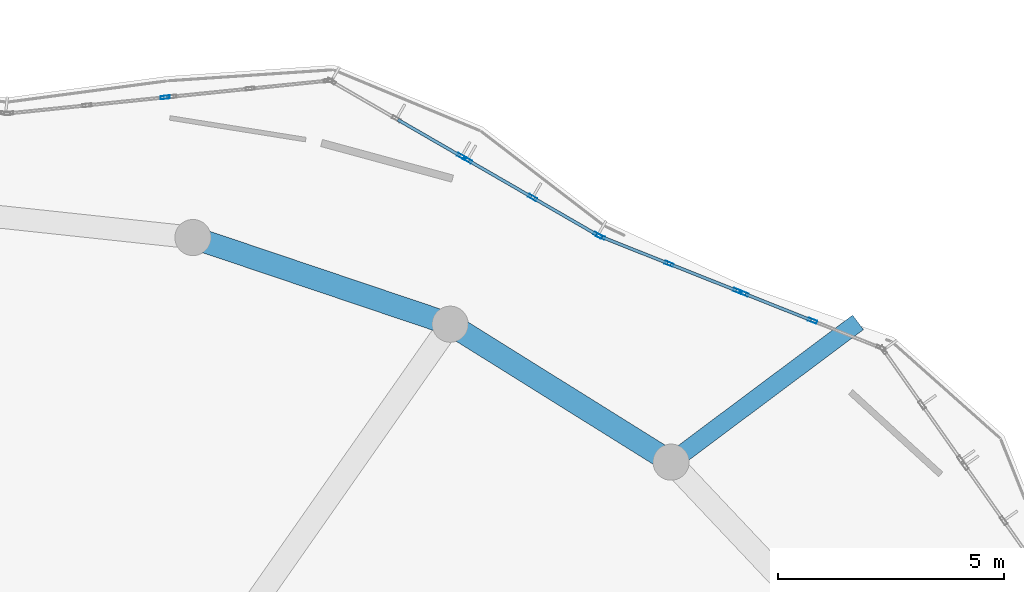
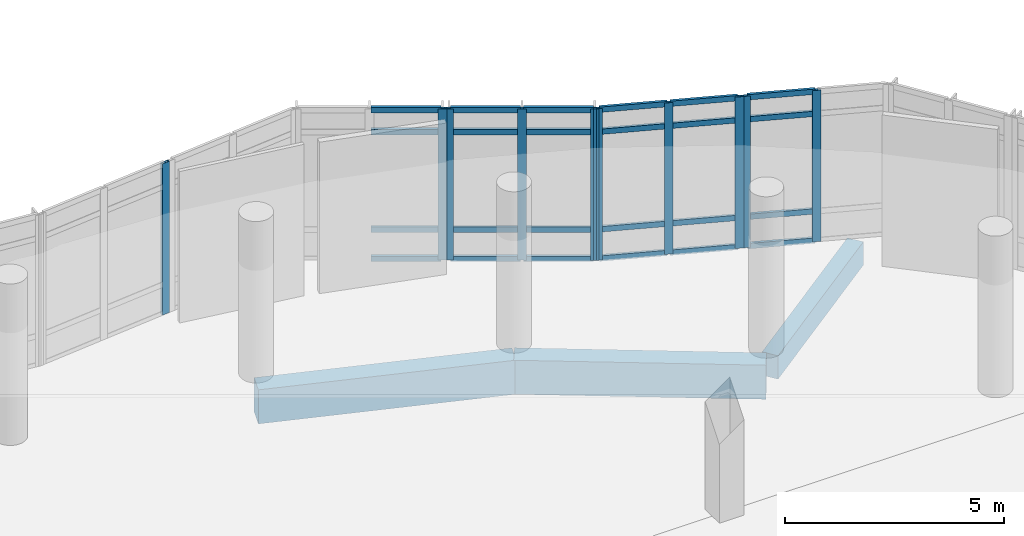
# One storey, part 17 of 46: 34 members, 3 beams, 5 elements without a shape of their own.
"""IFC4 building model written with IfcOpenShell, lengths in metres."""

import ifcopenshell
import ifcopenshell.guid

model = None  # the IFC model being written
_history = None  # IfcOwnerHistory: only IFC2X3 demands one
_inside = {}  # id of a spatial element -> (the spatial element, [elements in it])
_under = {}  # id of a project, library or spatial element -> (it, [spatial elements below it])
_declared = {}  # id of a project -> (the project, [libraries it declares])
_typed = {}  # id of a type object -> (the type object, [elements of that type])
_made_of = {}  # id of a material, layer set ... -> (it, [elements and type objects made of it])


def new_model(schema):
    """Start an empty IFC model of exactly this schema.

    Asked for "IFC4X3", IfcOpenShell would pick the latest addendum, in which some entities
    have other attributes; the version numbers below select the first issue.
    IFC2X3 requires an IfcOwnerHistory on every rooted entity: one is made here for all.
    """
    global model, _history
    if schema == "IFC4X3":
        model = ifcopenshell.file(schema_version=(4, 3, 0, 0))
    else:
        model = ifcopenshell.file(schema=schema)
    _inside.clear()
    _under.clear()
    _declared.clear()
    _typed.clear()
    _made_of.clear()
    _history = None
    if model.schema == "IFC2X3":
        org = make("IfcOrganization", Name="unknown")
        user = make(
            "IfcPersonAndOrganization",
            ThePerson=make("IfcPerson", FamilyName="unknown"),
            TheOrganization=org,
        )
        app = make(
            "IfcApplication",
            ApplicationDeveloper=org,
            Version="unknown",
            ApplicationFullName="unknown",
            ApplicationIdentifier="unknown",
        )
        _history = make(
            "IfcOwnerHistory",
            OwningUser=user,
            OwningApplication=app,
            ChangeAction="ADDED",
            CreationDate=0,
        )
    return model


def make(cls, **values):
    """One entity of the class cls with the attributes given. An attribute that is None is left unset."""
    return model.create_entity(
        cls, **{name: value for name, value in values.items() if value is not None}
    )


def rooted(cls, **values):
    """An entity with a GlobalId (a new one), such as an element, a storey or a relation."""
    return make(cls, GlobalId=ifcopenshell.guid.new(), OwnerHistory=_history, **values)


def si_unit(unit_type, name, prefix=None):
    """IfcSIUnit, for example si_unit("LENGTHUNIT", "METRE", prefix="MILLI")."""
    return make("IfcSIUnit", UnitType=unit_type, Prefix=prefix, Name=name)


def derived_unit(unit_type, elements):
    """IfcDerivedUnit: a product of units, each with its exponent."""
    return make(
        "IfcDerivedUnit",
        Elements=[
            make("IfcDerivedUnitElement", Unit=unit, Exponent=power)
            for unit, power in elements
        ],
        UnitType=unit_type,
    )


def assignment(units):
    """IfcUnitAssignment: the units of a project."""
    return None if units is None else make("IfcUnitAssignment", Units=units)


def point(xyz):
    """IfcCartesianPoint."""
    return None if xyz is None else make("IfcCartesianPoint", Coordinates=xyz)


def direction(xyz):
    """IfcDirection."""
    return None if xyz is None else make("IfcDirection", DirectionRatios=xyz)


def frame(location, z_axis=None, x_axis=None):
    """IfcAxis2Placement3D, a coordinate frame: its origin and axes. An axis left out is left unset."""
    return make(
        "IfcAxis2Placement3D",
        Location=point(location),
        Axis=direction(z_axis),
        RefDirection=direction(x_axis),
    )


def frame_2d(location, x_axis=None):
    """IfcAxis2Placement2D, a coordinate frame in the plane: its origin and x axis."""
    return make(
        "IfcAxis2Placement2D", Location=point(location), RefDirection=direction(x_axis)
    )


def origin():
    """The frame at (0, 0, 0) with its axes left unset."""
    return frame((0.0, 0.0, 0.0))


def origin_2d():
    """The frame at (0, 0) in the plane with its x axis left unset."""
    return frame_2d((0.0, 0.0))


def place(relative_to, where):
    """IfcLocalPlacement: puts the frame where relative to a parent placement (None: the world)."""
    return make(
        "IfcLocalPlacement", PlacementRelTo=relative_to, RelativePlacement=where
    )


def context(
    kind, dimensions, precision=None, world=None, true_north=None, identifier=None
):
    """IfcGeometricRepresentationContext, for example the 3D "Model" context."""
    return make(
        "IfcGeometricRepresentationContext",
        ContextIdentifier=identifier,
        ContextType=kind,
        CoordinateSpaceDimension=dimensions,
        Precision=precision,
        WorldCoordinateSystem=world,
        TrueNorth=true_north,
    )


def subcontext(parent, identifier, kind, view, scale=None):
    """IfcGeometricRepresentationSubContext, for example "Body" below "Model"."""
    return make(
        "IfcGeometricRepresentationSubContext",
        ContextIdentifier=identifier,
        ContextType=kind,
        ParentContext=parent,
        TargetScale=scale,
        TargetView=view,
    )


def project(units=None, contexts=None):
    """IfcProject with its units and contexts."""
    return rooted(
        "IfcProject",
        Name="project",
        RepresentationContexts=contexts,
        UnitsInContext=assignment(units),
    )


def spatial(cls, under=None, at=None, **own):
    """A site, building, storey or space (cls), placed at a placement, below another one or the project."""
    s = rooted(cls, ObjectPlacement=at, **own)
    if under is not None:
        _under.setdefault(under.id(), (under, []))[1].append(s)
    return s


def profile(cls, at=None, kind="AREA", **sizes):
    """A parametric profile (cls). Its sizes go by their IFC names, for example OverallWidth=200.0."""
    return make(cls, ProfileType=kind, Position=at, **sizes)


def rectangle(**sizes):
    """IfcRectangleProfileDef."""
    return profile("IfcRectangleProfileDef", **sizes)


def hollow_rectangle(**sizes):
    """IfcRectangleHollowProfileDef."""
    return profile("IfcRectangleHollowProfileDef", **sizes)


def extrude(swept, where, along, depth):
    """IfcExtrudedAreaSolid: the profile swept, set in the frame where, extruded along a direction by depth."""
    return make(
        "IfcExtrudedAreaSolid",
        SweptArea=swept,
        Position=where,
        ExtrudedDirection=direction(along),
        Depth=depth,
    )


def shape(context_of_items, identifier, shape_type, items):
    """IfcShapeRepresentation: the items that make up one representation, for example the "Body"."""
    return make(
        "IfcShapeRepresentation",
        ContextOfItems=context_of_items,
        RepresentationIdentifier=identifier,
        RepresentationType=shape_type,
        Items=items,
    )


def material(Name=None, Category=None):
    """IfcMaterial."""
    return make("IfcMaterial", Name=Name, Category=Category)


def layer(
    of_material, thickness, ventilated=None, Name=None, Category=None, Priority=None
):
    """IfcMaterialLayer: one layer of a wall or slab, of a material (None: an air gap)."""
    return make(
        "IfcMaterialLayer",
        Material=of_material,
        LayerThickness=thickness,
        IsVentilated=ventilated,
        Name=Name,
        Category=Category,
        Priority=Priority,
    )


def layer_set(layers, Name=None):
    """IfcMaterialLayerSet."""
    return make("IfcMaterialLayerSet", MaterialLayers=layers, LayerSetName=Name)


def material_profile(
    of_material, cross_section, Name=None, Category=None, Priority=None
):
    """IfcMaterialProfile: a cross section and its material."""
    return make(
        "IfcMaterialProfile",
        Name=Name,
        Material=of_material,
        Profile=cross_section,
        Priority=Priority,
        Category=Category,
    )


def profile_set(profiles, Name=None, composite=None):
    """IfcMaterialProfileSet."""
    return make(
        "IfcMaterialProfileSet",
        Name=Name,
        MaterialProfiles=profiles,
        CompositeProfile=composite,
    )


def made_of(thing, what):
    """Note that an element or type object is made of a material, layer set ...; save() writes the relation."""
    if what is not None:
        _made_of.setdefault(what.id(), (what, []))[1].append(thing)
    return thing


def type_object(cls, material=None, **own):
    """A type object (cls), such as IfcWallType, which elements share."""
    return made_of(rooted(cls, **own), material)


def element(
    cls,
    number,
    at=None,
    inside=None,
    cuts=None,
    type_object=None,
    material=None,
    context=None,
    identifier="Body",
    shape_type=None,
    held_by="IfcProductDefinitionShape",
    body=None,
    shapes=None,
    **own,
):
    """One element of the class cls, such as IfcWall. Its Tag is "e" and its number.

    at: its placement. inside: the storey or other place that contains it. cuts: it is an
    opening in that element (IfcRelVoidsElement). A single representation is given by context,
    identifier, shape_type and body (its items); several are given by shapes. held_by: the class
    of the entity that holds the representations. save() writes the other relations.
    """
    e = rooted(cls, Tag="e%d" % number, ObjectPlacement=at, **own)
    if body is not None:
        shapes = [shape(context, identifier, shape_type, body)]
    if shapes is not None:
        e.Representation = make(held_by, Representations=shapes)
    if inside is not None:
        _inside.setdefault(inside.id(), (inside, []))[1].append(e)
    if cuts is not None:
        rooted(
            "IfcRelVoidsElement", RelatingBuildingElement=cuts, RelatedOpeningElement=e
        )
    if type_object is not None:
        _typed.setdefault(type_object.id(), (type_object, []))[1].append(e)
    return made_of(e, material)


def aggregate(whole, parts):
    """IfcRelAggregates: a whole, such as a stair, and the parts it consists of."""
    return rooted("IfcRelAggregates", RelatingObject=whole, RelatedObjects=parts)


def save(model, path):
    """Write the relations noted so far, then the file.

    IfcRelAggregates (storeys below a building ...), IfcRelContainedInSpatialStructure (elements
    in a storey), IfcRelDefinesByType, IfcRelAssociatesMaterial and IfcRelDeclares: one each for
    every whole, place, type object, material and project.
    """
    for whole, parts in _under.values():
        aggregate(whole, parts)
    for where, things in _inside.values():
        rooted(
            "IfcRelContainedInSpatialStructure",
            RelatedElements=things,
            RelatingStructure=where,
        )
    for kind, things in _typed.values():
        rooted("IfcRelDefinesByType", RelatedObjects=things, RelatingType=kind)
    for what, things in _made_of.values():
        rooted("IfcRelAssociatesMaterial", RelatedObjects=things, RelatingMaterial=what)
    for by, libraries in _declared.values():
        rooted("IfcRelDeclares", RelatingContext=by, RelatedDefinitions=libraries)
    model.write(path)


model = new_model("IFC4")

# Units and contexts
model_context = context("Model", 3, precision=1e-05, world=origin(), true_north=direction((0.0, 1.0)))
body_context = subcontext(model_context, "Body", "Model", "MODEL_VIEW")
ifc_project = project(units=[si_unit("LENGTHUNIT", "METRE"), si_unit("AREAUNIT", "SQUARE_METRE"), si_unit("VOLUMEUNIT", "CUBIC_METRE"), si_unit("PLANEANGLEUNIT", "RADIAN"), si_unit("MASSUNIT", "GRAM", prefix="KILO"), derived_unit("THERMALTRANSMITTANCEUNIT", [(si_unit("POWERUNIT", "WATT"), 1), (si_unit("LENGTHUNIT", "METRE"), -2), (si_unit("THERMODYNAMICTEMPERATUREUNIT", "KELVIN"), -1)])], contexts=[model_context])

# Site, building, storey
site_placement = place(None, origin())
site = spatial("IfcSite", under=ifc_project, at=site_placement, CompositionType="ELEMENT")
building_placement = place(site_placement, origin())
building = spatial("IfcBuilding", under=site, at=building_placement, Name="Elbkamm Science Centre", CompositionType="ELEMENT")
storey_placement = place(building_placement, frame((0.0, 0.0, 9.89990234375)))
storey = spatial("IfcBuildingStorey", under=building, at=storey_placement, Name="L02", CompositionType="ELEMENT", Elevation=9.89990234375)

# Beams
ifc_material_1 = material(Name="Concrete C40/50", Category="concrete")
ifc_material_profile_1 = material_profile(ifc_material_1, rectangle(XDim=0.39990234375, YDim=0.64990234375, at=origin_2d()), Name="RC 400x650")
ifc_profile_set_1 = profile_set([ifc_material_profile_1], Name="Concrete C40/50")
beam_type_1 = type_object("IfcBeamType", Name="BM-RC-400x650", PredefinedType="BEAM", material=ifc_profile_set_1)
beam_1_placement = place(storey_placement, frame((83.82373046875, 83.868408203125, -0.625), z_axis=(-0.800864326985, -0.598845831382, 0.0), x_axis=(0.598845831382, -0.800864326985, 0.0)))
element("IfcBeam", 1, at=beam_1_placement, inside=storey, type_object=beam_type_1, Name="L02 Perimeter Ring Tie Girder 048", PredefinedType="BEAM", context=body_context, shape_type="SweptSolid", body=[
    extrude(rectangle(XDim=0.39990234375, YDim=0.64990234375, at=origin_2d()), origin(), (0.0, 0.0, 1.0), 4.944091796875),
])
ifc_material_profile_2 = material_profile(ifc_material_1, rectangle(XDim=0.5, YDim=0.949951171875, at=origin_2d()), Name="RC 500x950")
ifc_profile_set_2 = profile_set([ifc_material_profile_2], Name="Concrete C40/50")
beam_type_2 = type_object("IfcBeamType", Name="BM-RC-500x950", PredefinedType="BEAM", material=ifc_profile_set_2)
beam_2_placement = place(storey_placement, frame((79.68798828125, 80.77587890625, -0.77490234375), z_axis=(-0.848229099729, 0.529629487824, 0.0), x_axis=(-0.529629487824, -0.848229099729, 0.0)))
element("IfcBeam", 2, at=beam_2_placement, inside=storey, type_object=beam_type_2, Name="L02 Elliptical Shell Perimeter Ring Beam 04", PredefinedType="SPANDREL", context=body_context, shape_type="SweptSolid", body=[
    extrude(rectangle(XDim=0.5, YDim=0.949951171875, at=origin_2d()), origin(), (0.0, 0.0, 1.0), 5.762451171875),
])
beam_3_placement = place(storey_placement, frame((74.800048828125, 83.827880859375, -0.77490234375), z_axis=(-0.947637651085, 0.319347588444, 0.0), x_axis=(-0.319347588444, -0.947637651085, 0.0)))
element("IfcBeam", 3, at=beam_3_placement, inside=storey, type_object=beam_type_2, Name="L02 Elliptical Shell Perimeter Ring Beam 05", PredefinedType="SPANDREL", context=body_context, shape_type="SweptSolid", body=[
    extrude(rectangle(XDim=0.5, YDim=0.949951171875, at=origin_2d()), origin(), (0.0, 0.0, 1.0), 6.006591796875),
])

# Curtain wall, members
ifc_material_2 = material(Name="Powder-coated aluminium and triple low-E glazing", Category="aluminium")
ifc_layer_1 = layer(ifc_material_2, 0.159912109375)
ifc_layer_set_1 = layer_set([ifc_layer_1], Name="Powder-coated aluminium and triple low-E glazing")
curtain_wall_type_1 = type_object("IfcCurtainWallType", Name="CW-UNIT-3340x4220", PredefinedType="USERDEFINED", material=ifc_layer_set_1)
curtain_wall_1_placement = place(storey_placement, origin())
curtain_wall_1 = element("IfcCurtainWall", 4, at=curtain_wall_1_placement, inside=storey, type_object=curtain_wall_type_1, Name="L02 Unitised Curtain Wall 022", ObjectType="UNITISED CURTAIN WALL", PredefinedType="USERDEFINED")
ifc_material_3 = material(Name="Powder-coated aluminium EN AW-6060", Category="aluminium")
ifc_material_profile_3 = material_profile(ifc_material_3, hollow_rectangle(XDim=0.070068359375, YDim=0.199951171875, WallThickness=0.00439453125, at=origin_2d()), Name="ALU M70x200")
ifc_profile_set_3 = profile_set([ifc_material_profile_3], Name="Powder-coated aluminium EN AW-6060")
member_type_1 = type_object("IfcMemberType", Name="CW-MUL-70x200", PredefinedType="MULLION", material=ifc_profile_set_3)
member_1_placement = place(storey_placement, frame((82.81689453125, 83.904052734375, 0.0), z_axis=(0.0, 0.0, 1.0), x_axis=(-0.369160233621, -0.929365763256, 0.0)))
member_1 = element("IfcMember", 5, at=member_1_placement, type_object=member_type_1, Name="CW-013 mullion 2", PredefinedType="MULLION", context=body_context, shape_type="SweptSolid", body=[
    extrude(hollow_rectangle(XDim=0.070068359375, YDim=0.199951171875, WallThickness=0.00439453125, at=origin_2d()), origin(), (0.0, 0.0, 1.0), 4.22021484375),
])
member_2_placement = place(storey_placement, frame((81.300537109375, 84.506591796875, 0.0), z_axis=(0.0, 0.0, 1.0), x_axis=(-0.369160233621, -0.929365763256, 0.0)))
member_2 = element("IfcMember", 6, at=member_2_placement, type_object=member_type_1, Name="CW-013 mullion 3", PredefinedType="MULLION", context=body_context, shape_type="SweptSolid", body=[
    extrude(hollow_rectangle(XDim=0.070068359375, YDim=0.199951171875, WallThickness=0.00439453125, at=origin_2d()), origin(), (0.0, 0.0, 1.0), 4.22021484375),
])

curtain_wall_2_placement = place(storey_placement, origin())
curtain_wall_2 = element("IfcCurtainWall", 7, at=curtain_wall_2_placement, inside=storey, type_object=curtain_wall_type_1, Name="L02 Unitised Curtain Wall 023", ObjectType="UNITISED CURTAIN WALL", PredefinedType="USERDEFINED")
member_3_placement = place(storey_placement, frame((81.1611328125, 84.561767578125, 0.0), z_axis=(0.0, 0.0, 1.0), x_axis=(-0.369160233621, -0.929365763256, 0.0)))
member_3 = element("IfcMember", 8, at=member_3_placement, type_object=member_type_1, Name="CW-013 mullion 1", PredefinedType="MULLION", context=body_context, shape_type="SweptSolid", body=[
    extrude(hollow_rectangle(XDim=0.070068359375, YDim=0.199951171875, WallThickness=0.00439453125, at=origin_2d()), origin(), (0.0, 0.0, 1.0), 4.22021484375),
])
member_4_placement = place(storey_placement, frame((79.644775390625, 85.1640625, 0.0), z_axis=(0.0, 0.0, 1.0), x_axis=(-0.369160233621, -0.929365763256, 0.0)))
member_4 = element("IfcMember", 9, at=member_4_placement, type_object=member_type_1, Name="CW-013 mullion 2", PredefinedType="MULLION", context=body_context, shape_type="SweptSolid", body=[
    extrude(hollow_rectangle(XDim=0.070068359375, YDim=0.199951171875, WallThickness=0.00439453125, at=origin_2d()), origin(), (0.0, 0.0, 1.0), 4.22021484375),
])
member_5_placement = place(storey_placement, frame((78.12841796875, 85.766357421875, 0.0), z_axis=(0.0, 0.0, 1.0), x_axis=(-0.369160233621, -0.929365763256, 0.0)))
member_5 = element("IfcMember", 10, at=member_5_placement, type_object=member_type_1, Name="CW-013 mullion 3", PredefinedType="MULLION", context=body_context, shape_type="SweptSolid", body=[
    extrude(hollow_rectangle(XDim=0.070068359375, YDim=0.199951171875, WallThickness=0.00439453125, at=origin_2d()), origin(), (0.0, 0.0, 1.0), 4.22021484375),
])

ifc_layer_2 = layer(ifc_material_2, 0.159912109375)
ifc_layer_set_2 = layer_set([ifc_layer_2], Name="Powder-coated aluminium and triple low-E glazing")
curtain_wall_type_2 = type_object("IfcCurtainWallType", Name="CW-UNIT-3400x4220", PredefinedType="USERDEFINED", material=ifc_layer_set_2)
curtain_wall_3_placement = place(storey_placement, origin())
curtain_wall_3 = element("IfcCurtainWall", 11, at=curtain_wall_3_placement, inside=storey, type_object=curtain_wall_type_2, Name="L02 Unitised Curtain Wall 024", ObjectType="UNITISED CURTAIN WALL", PredefinedType="USERDEFINED")
member_6_placement = place(storey_placement, frame((78.065673828125, 85.796875, 0.0), z_axis=(0.0, 0.0, 1.0), x_axis=(-0.500320720834, -0.865840156324, 0.0)))
member_6 = element("IfcMember", 12, at=member_6_placement, type_object=member_type_1, Name="CW-014 mullion 1", PredefinedType="MULLION", context=body_context, shape_type="SweptSolid", body=[
    extrude(hollow_rectangle(XDim=0.070068359375, YDim=0.199951171875, WallThickness=0.00439453125, at=origin_2d()), origin(), (0.0, 0.0, 1.0), 4.22021484375),
])
member_7_placement = place(storey_placement, frame((76.6240234375, 86.6298828125, 0.0), z_axis=(0.0, 0.0, 1.0), x_axis=(-0.500320720834, -0.865840156324, 0.0)))
member_7 = element("IfcMember", 13, at=member_7_placement, type_object=member_type_1, Name="CW-014 mullion 2", PredefinedType="MULLION", context=body_context, shape_type="SweptSolid", body=[
    extrude(hollow_rectangle(XDim=0.070068359375, YDim=0.199951171875, WallThickness=0.00439453125, at=origin_2d()), origin(), (0.0, 0.0, 1.0), 4.22021484375),
])
member_8_placement = place(storey_placement, frame((75.1826171875, 87.462890625, 0.0), z_axis=(0.0, 0.0, 1.0), x_axis=(-0.500320720834, -0.865840156324, 0.0)))
member_8 = element("IfcMember", 14, at=member_8_placement, type_object=member_type_1, Name="CW-014 mullion 3", PredefinedType="MULLION", context=body_context, shape_type="SweptSolid", body=[
    extrude(hollow_rectangle(XDim=0.070068359375, YDim=0.199951171875, WallThickness=0.00439453125, at=origin_2d()), origin(), (0.0, 0.0, 1.0), 4.22021484375),
])

# Curtain wall, member
curtain_wall_4_placement = place(storey_placement, origin())
curtain_wall_4 = element("IfcCurtainWall", 15, at=curtain_wall_4_placement, inside=storey, type_object=curtain_wall_type_2, Name="L02 Unitised Curtain Wall 025", ObjectType="UNITISED CURTAIN WALL", PredefinedType="USERDEFINED")
member_9_placement = place(storey_placement, frame((75.052734375, 87.537841796875, 0.0), z_axis=(0.0, 0.0, 1.0), x_axis=(-0.500320720834, -0.865840156324, 0.0)))
member_9 = element("IfcMember", 16, at=member_9_placement, type_object=member_type_1, Name="CW-014 mullion 1", PredefinedType="MULLION", context=body_context, shape_type="SweptSolid", body=[
    extrude(hollow_rectangle(XDim=0.070068359375, YDim=0.199951171875, WallThickness=0.00439453125, at=origin_2d()), origin(), (0.0, 0.0, 1.0), 4.22021484375),
])

ifc_layer_3 = layer(ifc_material_2, 0.159912109375)
ifc_layer_set_3 = layer_set([ifc_layer_3], Name="Powder-coated aluminium and triple low-E glazing")
curtain_wall_type_3 = type_object("IfcCurtainWallType", Name="CW-UNIT-3540x4220", PredefinedType="USERDEFINED", material=ifc_layer_set_3)
curtain_wall_5_placement = place(storey_placement, origin())
curtain_wall_5 = element("IfcCurtainWall", 17, at=curtain_wall_5_placement, inside=storey, type_object=curtain_wall_type_3, Name="L02 Unitised Curtain Wall 027", ObjectType="UNITISED CURTAIN WALL", PredefinedType="USERDEFINED")
member_10_placement = place(storey_placement, frame((68.4951171875, 88.84814453125, 0.0), z_axis=(0.0, 0.0, 1.0), x_axis=(0.101905869017, -0.994794045951, 0.0)))
member_10 = element("IfcMember", 18, at=member_10_placement, type_object=member_type_1, Name="CW-015 mullion 1", PredefinedType="MULLION", context=body_context, shape_type="SweptSolid", body=[
    extrude(hollow_rectangle(XDim=0.070068359375, YDim=0.199951171875, WallThickness=0.00439453125, at=origin_2d()), origin(), (0.0, 0.0, 1.0), 4.22021484375),
])
aggregate(curtain_wall_5, [member_10])

# Member
ifc_material_profile_4 = material_profile(ifc_material_3, hollow_rectangle(XDim=0.070068359375, YDim=0.14990234375, WallThickness=0.00390625, at=origin_2d()), Name="ALU T70x150")
ifc_profile_set_4 = profile_set([ifc_material_profile_4], Name="Powder-coated aluminium EN AW-6060")
member_type_2 = type_object("IfcMemberType", Name="CW-TRN-70x150", PredefinedType="USERDEFINED", material=ifc_profile_set_4)
member_11_placement = place(storey_placement, frame((82.784423828125, 83.9169921875, 0.03515625), z_axis=(-0.929336655682, 0.369233503906, 0.0), x_axis=(-0.369233503906, -0.929336655682, 0.0)))
member_11 = element("IfcMember", 19, at=member_11_placement, type_object=member_type_2, Name="CW-013 transom 2.1", ObjectType="TRANSOM", PredefinedType="USERDEFINED", context=body_context, shape_type="SweptSolid", body=[
    extrude(hollow_rectangle(XDim=0.070068359375, YDim=0.14990234375, WallThickness=0.00390625, at=origin_2d()), origin(), (0.0, 0.0, 1.0), 1.561767578125),
])

member_12_placement = place(storey_placement, frame((82.784423828125, 83.9169921875, 0.85009765625), z_axis=(-0.929336655682, 0.369233503906, 0.0), x_axis=(-0.369233503906, -0.929336655682, 0.0)))
member_12 = element("IfcMember", 20, at=member_12_placement, type_object=member_type_2, Name="CW-013 transom 2.2", ObjectType="TRANSOM", PredefinedType="USERDEFINED", context=body_context, shape_type="SweptSolid", body=[
    extrude(hollow_rectangle(XDim=0.070068359375, YDim=0.14990234375, WallThickness=0.00390625, at=origin_2d()), origin(), (0.0, 0.0, 1.0), 1.561767578125),
])

member_13_placement = place(storey_placement, frame((82.784423828125, 83.9169921875, 3.570068359375), z_axis=(-0.929336655682, 0.369233503906, 0.0), x_axis=(-0.369233503906, -0.929336655682, 0.0)))
member_13 = element("IfcMember", 21, at=member_13_placement, type_object=member_type_2, Name="CW-013 transom 2.3", ObjectType="TRANSOM", PredefinedType="USERDEFINED", context=body_context, shape_type="SweptSolid", body=[
    extrude(hollow_rectangle(XDim=0.070068359375, YDim=0.14990234375, WallThickness=0.00390625, at=origin_2d()), origin(), (0.0, 0.0, 1.0), 1.561767578125),
])

member_14_placement = place(storey_placement, frame((82.784423828125, 83.9169921875, 4.18505859375), z_axis=(-0.929336655682, 0.369233503906, 0.0), x_axis=(-0.369233503906, -0.929336655682, 0.0)))
member_14 = element("IfcMember", 22, at=member_14_placement, type_object=member_type_2, Name="CW-013 transom 2.4", ObjectType="TRANSOM", PredefinedType="USERDEFINED", context=body_context, shape_type="SweptSolid", body=[
    extrude(hollow_rectangle(XDim=0.070068359375, YDim=0.14990234375, WallThickness=0.00390625, at=origin_2d()), origin(), (0.0, 0.0, 1.0), 1.561767578125),
])

aggregate(curtain_wall_1, [member_1, member_2, member_11, member_12, member_13, member_14])

member_15_placement = place(storey_placement, frame((81.128662109375, 84.57470703125, 0.03515625), z_axis=(-0.929390289785, 0.36909848178, 0.0), x_axis=(-0.36909848178, -0.929390289785, 0.0)))
member_15 = element("IfcMember", 23, at=member_15_placement, type_object=member_type_2, Name="CW-013 transom 1.1", ObjectType="TRANSOM", PredefinedType="USERDEFINED", context=body_context, shape_type="SweptSolid", body=[
    extrude(hollow_rectangle(XDim=0.070068359375, YDim=0.14990234375, WallThickness=0.00390625, at=origin_2d()), origin(), (0.0, 0.0, 1.0), 1.561767578125),
])

member_16_placement = place(storey_placement, frame((81.128662109375, 84.57470703125, 0.85009765625), z_axis=(-0.929390289785, 0.36909848178, 0.0), x_axis=(-0.36909848178, -0.929390289785, 0.0)))
member_16 = element("IfcMember", 24, at=member_16_placement, type_object=member_type_2, Name="CW-013 transom 1.2", ObjectType="TRANSOM", PredefinedType="USERDEFINED", context=body_context, shape_type="SweptSolid", body=[
    extrude(hollow_rectangle(XDim=0.070068359375, YDim=0.14990234375, WallThickness=0.00390625, at=origin_2d()), origin(), (0.0, 0.0, 1.0), 1.561767578125),
])

member_17_placement = place(storey_placement, frame((81.128662109375, 84.57470703125, 3.570068359375), z_axis=(-0.929390289785, 0.36909848178, 0.0), x_axis=(-0.36909848178, -0.929390289785, 0.0)))
member_17 = element("IfcMember", 25, at=member_17_placement, type_object=member_type_2, Name="CW-013 transom 1.3", ObjectType="TRANSOM", PredefinedType="USERDEFINED", context=body_context, shape_type="SweptSolid", body=[
    extrude(hollow_rectangle(XDim=0.070068359375, YDim=0.14990234375, WallThickness=0.00390625, at=origin_2d()), origin(), (0.0, 0.0, 1.0), 1.561767578125),
])

member_18_placement = place(storey_placement, frame((81.128662109375, 84.57470703125, 4.18505859375), z_axis=(-0.929390289785, 0.36909848178, 0.0), x_axis=(-0.36909848178, -0.929390289785, 0.0)))
member_18 = element("IfcMember", 26, at=member_18_placement, type_object=member_type_2, Name="CW-013 transom 1.4", ObjectType="TRANSOM", PredefinedType="USERDEFINED", context=body_context, shape_type="SweptSolid", body=[
    extrude(hollow_rectangle(XDim=0.070068359375, YDim=0.14990234375, WallThickness=0.00390625, at=origin_2d()), origin(), (0.0, 0.0, 1.0), 1.561767578125),
])

member_19_placement = place(storey_placement, frame((79.6123046875, 85.177001953125, 0.03515625), z_axis=(-0.929336655682, 0.369233503906, 0.0), x_axis=(-0.369233503906, -0.929336655682, 0.0)))
member_19 = element("IfcMember", 27, at=member_19_placement, type_object=member_type_2, Name="CW-013 transom 2.1", ObjectType="TRANSOM", PredefinedType="USERDEFINED", context=body_context, shape_type="SweptSolid", body=[
    extrude(hollow_rectangle(XDim=0.070068359375, YDim=0.14990234375, WallThickness=0.00390625, at=origin_2d()), origin(), (0.0, 0.0, 1.0), 1.561767578125),
])

member_20_placement = place(storey_placement, frame((79.6123046875, 85.177001953125, 0.85009765625), z_axis=(-0.929336655682, 0.369233503906, 0.0), x_axis=(-0.369233503906, -0.929336655682, 0.0)))
member_20 = element("IfcMember", 28, at=member_20_placement, type_object=member_type_2, Name="CW-013 transom 2.2", ObjectType="TRANSOM", PredefinedType="USERDEFINED", context=body_context, shape_type="SweptSolid", body=[
    extrude(hollow_rectangle(XDim=0.070068359375, YDim=0.14990234375, WallThickness=0.00390625, at=origin_2d()), origin(), (0.0, 0.0, 1.0), 1.561767578125),
])

member_21_placement = place(storey_placement, frame((79.6123046875, 85.177001953125, 3.570068359375), z_axis=(-0.929336655682, 0.369233503906, 0.0), x_axis=(-0.369233503906, -0.929336655682, 0.0)))
member_21 = element("IfcMember", 29, at=member_21_placement, type_object=member_type_2, Name="CW-013 transom 2.3", ObjectType="TRANSOM", PredefinedType="USERDEFINED", context=body_context, shape_type="SweptSolid", body=[
    extrude(hollow_rectangle(XDim=0.070068359375, YDim=0.14990234375, WallThickness=0.00390625, at=origin_2d()), origin(), (0.0, 0.0, 1.0), 1.561767578125),
])

member_22_placement = place(storey_placement, frame((79.6123046875, 85.177001953125, 4.18505859375), z_axis=(-0.929336655682, 0.369233503906, 0.0), x_axis=(-0.369233503906, -0.929336655682, 0.0)))
member_22 = element("IfcMember", 30, at=member_22_placement, type_object=member_type_2, Name="CW-013 transom 2.4", ObjectType="TRANSOM", PredefinedType="USERDEFINED", context=body_context, shape_type="SweptSolid", body=[
    extrude(hollow_rectangle(XDim=0.070068359375, YDim=0.14990234375, WallThickness=0.00390625, at=origin_2d()), origin(), (0.0, 0.0, 1.0), 1.561767578125),
])

aggregate(curtain_wall_2, [member_3, member_4, member_5, member_15, member_16, member_17, member_18, member_19, member_20, member_21, member_22])

member_23_placement = place(storey_placement, frame((78.035400390625, 85.814453125, 0.03515625), z_axis=(-0.865897486854, 0.500221493201, 0.0), x_axis=(-0.500221493201, -0.865897486854, 0.0)))
member_23 = element("IfcMember", 31, at=member_23_placement, type_object=member_type_2, Name="CW-014 transom 1.1", ObjectType="TRANSOM", PredefinedType="USERDEFINED", context=body_context, shape_type="SweptSolid", body=[
    extrude(hollow_rectangle(XDim=0.070068359375, YDim=0.14990234375, WallThickness=0.00390625, at=origin_2d()), origin(), (0.0, 0.0, 1.0), 1.594970703125),
])

member_24_placement = place(storey_placement, frame((78.035400390625, 85.814453125, 0.85009765625), z_axis=(-0.865897486854, 0.500221493201, 0.0), x_axis=(-0.500221493201, -0.865897486854, 0.0)))
member_24 = element("IfcMember", 32, at=member_24_placement, type_object=member_type_2, Name="CW-014 transom 1.2", ObjectType="TRANSOM", PredefinedType="USERDEFINED", context=body_context, shape_type="SweptSolid", body=[
    extrude(hollow_rectangle(XDim=0.070068359375, YDim=0.14990234375, WallThickness=0.00390625, at=origin_2d()), origin(), (0.0, 0.0, 1.0), 1.594970703125),
])

member_25_placement = place(storey_placement, frame((78.035400390625, 85.814453125, 3.570068359375), z_axis=(-0.865897486854, 0.500221493201, 0.0), x_axis=(-0.500221493201, -0.865897486854, 0.0)))
member_25 = element("IfcMember", 33, at=member_25_placement, type_object=member_type_2, Name="CW-014 transom 1.3", ObjectType="TRANSOM", PredefinedType="USERDEFINED", context=body_context, shape_type="SweptSolid", body=[
    extrude(hollow_rectangle(XDim=0.070068359375, YDim=0.14990234375, WallThickness=0.00390625, at=origin_2d()), origin(), (0.0, 0.0, 1.0), 1.594970703125),
])

member_26_placement = place(storey_placement, frame((78.035400390625, 85.814453125, 4.18505859375), z_axis=(-0.865897486854, 0.500221493201, 0.0), x_axis=(-0.500221493201, -0.865897486854, 0.0)))
member_26 = element("IfcMember", 34, at=member_26_placement, type_object=member_type_2, Name="CW-014 transom 1.4", ObjectType="TRANSOM", PredefinedType="USERDEFINED", context=body_context, shape_type="SweptSolid", body=[
    extrude(hollow_rectangle(XDim=0.070068359375, YDim=0.14990234375, WallThickness=0.00390625, at=origin_2d()), origin(), (0.0, 0.0, 1.0), 1.594970703125),
])

member_27_placement = place(storey_placement, frame((76.59375, 86.6474609375, 0.03515625), z_axis=(-0.865859178689, 0.500287799851, 0.0), x_axis=(-0.500287799851, -0.865859178689, 0.0)))
member_27 = element("IfcMember", 35, at=member_27_placement, type_object=member_type_2, Name="CW-014 transom 2.1", ObjectType="TRANSOM", PredefinedType="USERDEFINED", context=body_context, shape_type="SweptSolid", body=[
    extrude(hollow_rectangle(XDim=0.070068359375, YDim=0.14990234375, WallThickness=0.00390625, at=origin_2d()), origin(), (0.0, 0.0, 1.0), 1.5947265625),
])

member_28_placement = place(storey_placement, frame((76.59375, 86.6474609375, 0.85009765625), z_axis=(-0.865859178689, 0.500287799851, 0.0), x_axis=(-0.500287799851, -0.865859178689, 0.0)))
member_28 = element("IfcMember", 36, at=member_28_placement, type_object=member_type_2, Name="CW-014 transom 2.2", ObjectType="TRANSOM", PredefinedType="USERDEFINED", context=body_context, shape_type="SweptSolid", body=[
    extrude(hollow_rectangle(XDim=0.070068359375, YDim=0.14990234375, WallThickness=0.00390625, at=origin_2d()), origin(), (0.0, 0.0, 1.0), 1.5947265625),
])

member_29_placement = place(storey_placement, frame((76.59375, 86.6474609375, 3.570068359375), z_axis=(-0.865859178689, 0.500287799851, 0.0), x_axis=(-0.500287799851, -0.865859178689, 0.0)))
member_29 = element("IfcMember", 37, at=member_29_placement, type_object=member_type_2, Name="CW-014 transom 2.3", ObjectType="TRANSOM", PredefinedType="USERDEFINED", context=body_context, shape_type="SweptSolid", body=[
    extrude(hollow_rectangle(XDim=0.070068359375, YDim=0.14990234375, WallThickness=0.00390625, at=origin_2d()), origin(), (0.0, 0.0, 1.0), 1.5947265625),
])

member_30_placement = place(storey_placement, frame((76.59375, 86.6474609375, 4.18505859375), z_axis=(-0.865859178689, 0.500287799851, 0.0), x_axis=(-0.500287799851, -0.865859178689, 0.0)))
member_30 = element("IfcMember", 38, at=member_30_placement, type_object=member_type_2, Name="CW-014 transom 2.4", ObjectType="TRANSOM", PredefinedType="USERDEFINED", context=body_context, shape_type="SweptSolid", body=[
    extrude(hollow_rectangle(XDim=0.070068359375, YDim=0.14990234375, WallThickness=0.00390625, at=origin_2d()), origin(), (0.0, 0.0, 1.0), 1.5947265625),
])

aggregate(curtain_wall_3, [member_6, member_7, member_8, member_23, member_24, member_25, member_26, member_27, member_28, member_29, member_30])

member_31_placement = place(storey_placement, frame((75.0224609375, 87.555419921875, 0.03515625), z_axis=(-0.865897486854, 0.500221493201, 0.0), x_axis=(-0.500221493201, -0.865897486854, 0.0)))
member_31 = element("IfcMember", 39, at=member_31_placement, type_object=member_type_2, Name="CW-014 transom 1.1", ObjectType="TRANSOM", PredefinedType="USERDEFINED", context=body_context, shape_type="SweptSolid", body=[
    extrude(hollow_rectangle(XDim=0.070068359375, YDim=0.14990234375, WallThickness=0.00390625, at=origin_2d()), origin(), (0.0, 0.0, 1.0), 1.594970703125),
])

member_32_placement = place(storey_placement, frame((75.0224609375, 87.555419921875, 0.85009765625), z_axis=(-0.865897486854, 0.500221493201, 0.0), x_axis=(-0.500221493201, -0.865897486854, 0.0)))
member_32 = element("IfcMember", 40, at=member_32_placement, type_object=member_type_2, Name="CW-014 transom 1.2", ObjectType="TRANSOM", PredefinedType="USERDEFINED", context=body_context, shape_type="SweptSolid", body=[
    extrude(hollow_rectangle(XDim=0.070068359375, YDim=0.14990234375, WallThickness=0.00390625, at=origin_2d()), origin(), (0.0, 0.0, 1.0), 1.594970703125),
])

member_33_placement = place(storey_placement, frame((75.0224609375, 87.555419921875, 3.570068359375), z_axis=(-0.865897486854, 0.500221493201, 0.0), x_axis=(-0.500221493201, -0.865897486854, 0.0)))
member_33 = element("IfcMember", 41, at=member_33_placement, type_object=member_type_2, Name="CW-014 transom 1.3", ObjectType="TRANSOM", PredefinedType="USERDEFINED", context=body_context, shape_type="SweptSolid", body=[
    extrude(hollow_rectangle(XDim=0.070068359375, YDim=0.14990234375, WallThickness=0.00390625, at=origin_2d()), origin(), (0.0, 0.0, 1.0), 1.594970703125),
])

member_34_placement = place(storey_placement, frame((75.0224609375, 87.555419921875, 4.18505859375), z_axis=(-0.865897486854, 0.500221493201, 0.0), x_axis=(-0.500221493201, -0.865897486854, 0.0)))
member_34 = element("IfcMember", 42, at=member_34_placement, type_object=member_type_2, Name="CW-014 transom 1.4", ObjectType="TRANSOM", PredefinedType="USERDEFINED", context=body_context, shape_type="SweptSolid", body=[
    extrude(hollow_rectangle(XDim=0.070068359375, YDim=0.14990234375, WallThickness=0.00390625, at=origin_2d()), origin(), (0.0, 0.0, 1.0), 1.594970703125),
])

aggregate(curtain_wall_4, [member_9, member_31, member_32, member_33, member_34])

save(model, "model.ifc")
